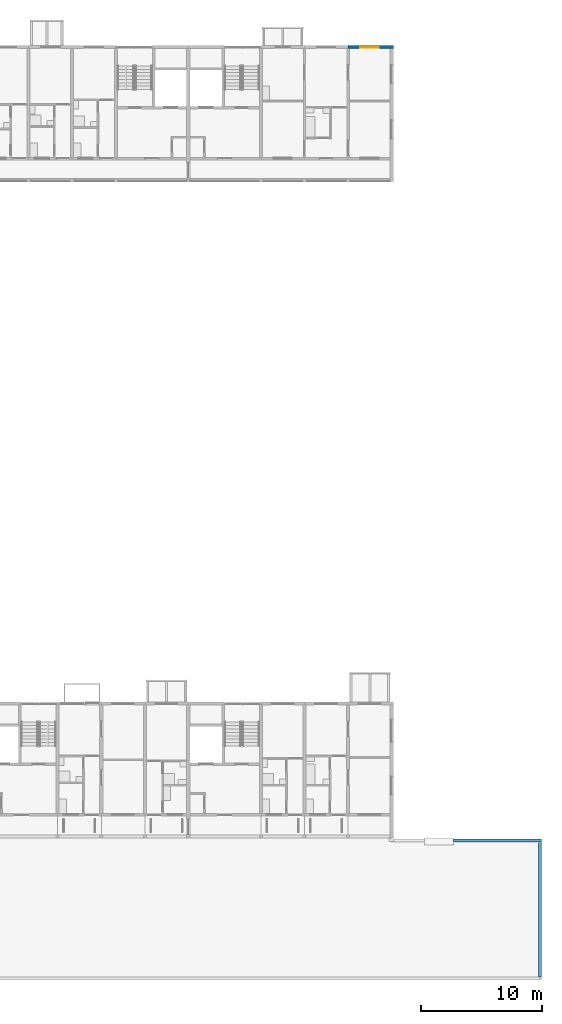
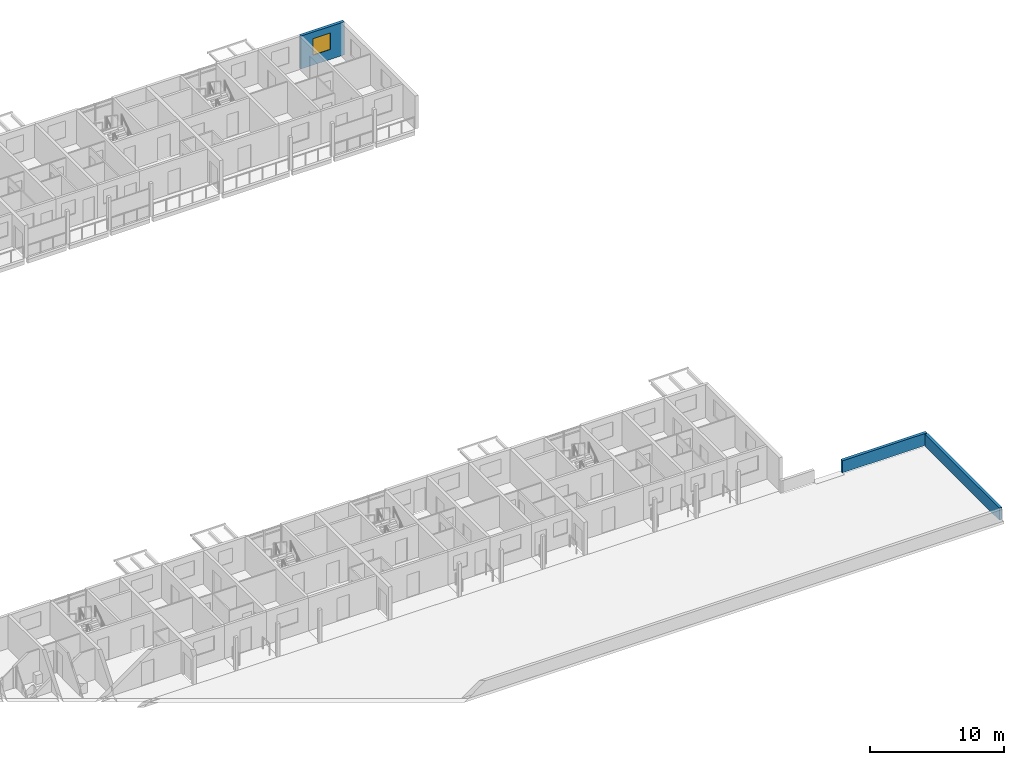
# One storey, part 73 of 115: 3 walls, 1 window, 1 opening.
"""IFC4 building model written with IfcOpenShell, lengths in metres."""

from ifc_helpers import new_model, si_unit, direction, frame, frame_2d, origin, place, context, subcontext, project, spatial, rectangle, extrude, material, layer, layer_set, type_object, element, fill, save


model = new_model("IFC4")

# Units and contexts
model_context = context("Model", 3, precision=1e-05, world=origin(), true_north=direction((0.0, 1.0)))
body_context = subcontext(model_context, "Body", "Model", "MODEL_VIEW")
ifc_project = project(units=[si_unit("LENGTHUNIT", "METRE"), si_unit("AREAUNIT", "SQUARE_METRE"), si_unit("VOLUMEUNIT", "CUBIC_METRE"), si_unit("PLANEANGLEUNIT", "RADIAN"), si_unit("MASSUNIT", "GRAM", prefix="KILO")], contexts=[model_context])

# Site, building, storey
site_placement = place(None, origin())
site = spatial("IfcSite", under=ifc_project, at=site_placement, CompositionType="ELEMENT")
building_placement = place(site_placement, origin())
building = spatial("IfcBuilding", under=site, at=building_placement, Name="Ridgestep Commons", CompositionType="ELEMENT")
storey_placement = place(building_placement, frame((0.0, 0.0, 6.0)))
storey = spatial("IfcBuildingStorey", under=building, at=storey_placement, Name="L02", CompositionType="ELEMENT", Elevation=6.0)

# Walls
ifc_material_1 = material(Name="Precast concrete C40/50", Category="concrete")
ifc_layer_1 = layer(ifc_material_1, 0.25)
ifc_layer_set_1 = layer_set([ifc_layer_1], Name="Community terrace parapet 250")
wall_type_1 = type_object("IfcWallType", Name="Community terrace parapet 250", PredefinedType="PARAPET", material=ifc_layer_set_1)
wall_1_placement = place(storey_placement, frame((252.699951171875, 11.550048828125, 0.0), z_axis=(0.0, 0.0, 1.0), x_axis=(1.0, 0.0, 0.0)))
element("IfcWall", 1, at=wall_1_placement, inside=storey, type_object=wall_type_1, Name="Terrace parapet", PredefinedType="PARAPET", context=body_context, shape_type="SweptSolid", body=[
    extrude(rectangle(XDim=7.2900390625, YDim=0.25, at=frame_2d((3.64501953125, 0.0))), origin(), (0.0, 0.0, 1.0), 1.10009765625),
])
wall_2_placement = place(storey_placement, frame((259.8701171875, 0.260009765625, 0.0), z_axis=(0.0, 0.0, 1.0), x_axis=(0.0, 1.0, 0.0)))
element("IfcWall", 2, at=wall_2_placement, inside=storey, type_object=wall_type_1, Name="Deck parapet", PredefinedType="PARAPET", context=body_context, shape_type="SweptSolid", body=[
    extrude(rectangle(XDim=11.090087890625, YDim=0.25, at=frame_2d((5.544921875, 0.0))), origin(), (0.0, 0.0, 1.0), 1.10009765625),
])

# Wall, opening, window
ifc_material_2 = material(Name="Precast concrete C40/50", Category="concrete")
ifc_layer_2 = layer(ifc_material_2, 0.25)
ifc_layer_set_2 = layer_set([ifc_layer_2], Name="North facade panel 250")
wall_type_2 = type_object("IfcWallType", Name="North facade panel 250", PredefinedType="SOLIDWALL", material=ifc_layer_set_2)
wall_3_placement = place(storey_placement, frame((244.0, 77.125, 0.0), z_axis=(0.0, 0.0, 1.0), x_axis=(1.0, 0.0, 0.0)))
wall_3 = element("IfcWall", 3, at=wall_3_placement, inside=storey, type_object=wall_type_2, Name="North panel C6T1 L02", PredefinedType="SOLIDWALL", context=body_context, shape_type="SweptSolid", body=[
    extrude(rectangle(XDim=3.75, YDim=0.25, at=frame_2d((1.875, 0.0))), origin(), (0.0, 0.0, 1.0), 3.0),
])
opening_placement = place(wall_3_placement, frame((1.02490234375, 0.0, 0.89990234375)))
opening = element("IfcOpeningElement", 4, at=opening_placement, cuts=wall_3, Name="Opening W16", PredefinedType="OPENING", context=body_context, shape_type="SweptSolid", body=[
    extrude(rectangle(XDim=1.5, YDim=1.5, at=frame_2d((0.75, 0.75))), frame((0.0, 0.135009765625, 0.0), z_axis=(0.0, -1.0, 0.0), x_axis=(1.0, 0.0, 0.0)), (0.0, 0.0, 1.0), 0.27001953125),
])
ifc_material_3 = material(Name="Aluminium 6063-T6 and glass", Category="aluminium")
window_type = type_object("IfcWindowType", Name="Flat window 1500 x 1500", PartitioningType="DOUBLE_PANEL_VERTICAL", PredefinedType="WINDOW", material=ifc_material_3)
window_placement = place(opening_placement, origin())
window = element("IfcWindow", 5, at=window_placement, inside=storey, type_object=window_type, Name="Window C6-02a 4", OverallHeight=1.5, OverallWidth=1.5, PartitioningType="SINGLE_PANEL", PredefinedType="WINDOW", context=body_context, shape_type="SweptSolid", body=[
    extrude(rectangle(XDim=1.5, YDim=1.5, at=frame_2d((0.75, 0.75))), frame((0.0, -0.02490234375, 0.0), z_axis=(0.0, -1.0, 0.0), x_axis=(1.0, 0.0, 0.0)), (0.0, 0.0, 1.0), 0.06005859375),
])
fill(opening, window)

save(model, "model.ifc")
